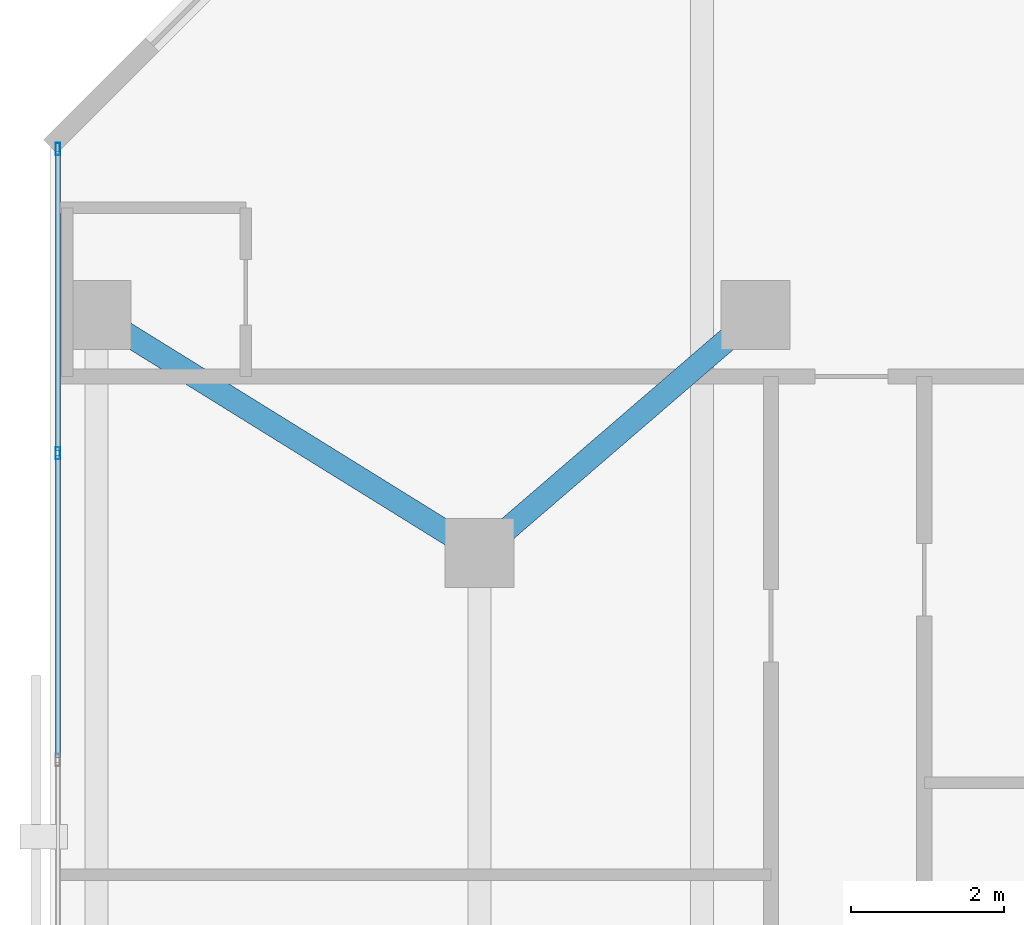
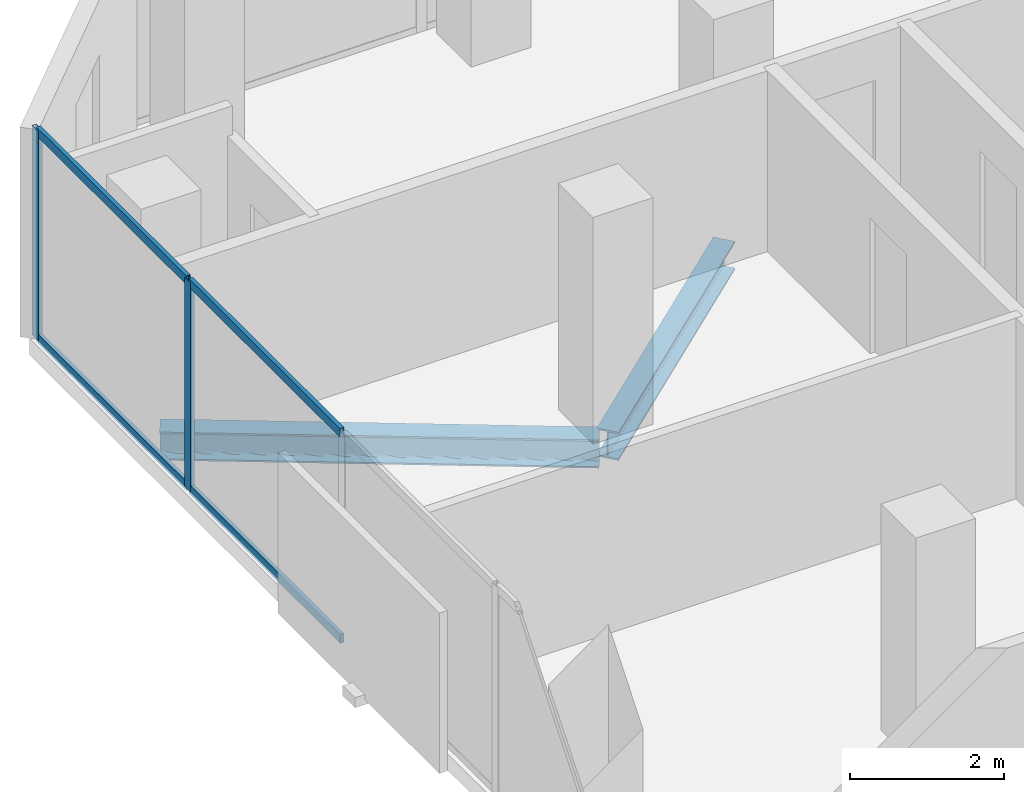
# One storey, part 17 of 33: 6 members, 2 beams, 1 element without a shape of its own.
"""IFC4 building model written with IfcOpenShell, lengths in metres."""

from ifc_helpers import new_model, si_unit, direction, frame, origin, origin_2d, place, context, subcontext, project, spatial, hollow_rectangle, i_section, extrude, material, layer, layer_set, material_profile, profile_set, type_object, element, aggregate, save


model = new_model("IFC4")

# Units and contexts
model_context = context("Model", 3, precision=1e-05, world=origin(), true_north=direction((0.0, 1.0)))
body_context = subcontext(model_context, "Body", "Model", "MODEL_VIEW")
ifc_project = project(units=[si_unit("LENGTHUNIT", "METRE"), si_unit("AREAUNIT", "SQUARE_METRE"), si_unit("VOLUMEUNIT", "CUBIC_METRE"), si_unit("PLANEANGLEUNIT", "RADIAN"), si_unit("MASSUNIT", "GRAM", prefix="KILO")], contexts=[model_context])

# Site, building, storey
site_placement = place(None, origin())
site = spatial("IfcSite", under=ifc_project, at=site_placement, CompositionType="ELEMENT")
building_placement = place(site_placement, origin())
building = spatial("IfcBuilding", under=site, at=building_placement, Name="Catumbela Crestline Tower", CompositionType="ELEMENT")
storey_placement = place(building_placement, frame((0.0, 0.0, 108.0)))
storey = spatial("IfcBuildingStorey", under=building, at=storey_placement, Name="L27", CompositionType="ELEMENT", Elevation=108.0)

# Beams
ifc_material_1 = material(Name="Structural steel S355J2", Category="steel")
ifc_material_profile_1 = material_profile(ifc_material_1, i_section(OverallWidth=0.3, OverallDepth=0.45, WebThickness=0.014, FlangeThickness=0.026, FilletRadius=0.027, at=origin_2d()), Name="HEB 450")
ifc_profile_set_1 = profile_set([ifc_material_profile_1], Name="Structural steel S355J2")
beam_type = type_object("IfcBeamType", Name="BG-HEB450", PredefinedType="BEAM", material=ifc_profile_set_1)
beam_1_placement = place(storey_placement, frame((0.668, 42.2578, -0.485), z_axis=(0.849908952007, -0.526929571479, 0.0), x_axis=(0.526929571479, 0.849908952007, 0.0)))
element("IfcBeam", 1, at=beam_1_placement, inside=storey, type_object=beam_type, Name="L27 Beam BM-L27-N12", PredefinedType="BEAM", context=body_context, shape_type="SweptSolid", body=[
    extrude(i_section(OverallWidth=0.3, OverallDepth=0.45, WebThickness=0.014, FlangeThickness=0.026, FilletRadius=0.027, at=origin_2d()), origin(), (0.0, 0.0, 1.0), 5.723),
])
beam_2_placement = place(storey_placement, frame((5.6606, 39.2522, -0.485), z_axis=(0.757772392559, 0.652518966066, 0.0), x_axis=(-0.652518966066, 0.757772392559, 0.0)))
element("IfcBeam", 2, at=beam_2_placement, inside=storey, type_object=beam_type, Name="L27 Beam BM-L27-N13", PredefinedType="BEAM", context=body_context, shape_type="SweptSolid", body=[
    extrude(i_section(OverallWidth=0.3, OverallDepth=0.45, WebThickness=0.014, FlangeThickness=0.026, FilletRadius=0.027, at=origin_2d()), origin(), (0.0, 0.0, 1.0), 4.5908),
])

# Curtain wall, members
ifc_material_2 = material(Name="Aluminium alloy AW-6060-T66", Category="aluminium")
ifc_layer = layer(ifc_material_2, 0.18, Name="Aluminium alloy AW-6060-T66")
ifc_layer_set = layer_set([ifc_layer], Name="Aluminium alloy AW-6060-T66")
curtain_wall_type = type_object("IfcCurtainWallType", Name="CWU-Z2", PredefinedType="USERDEFINED", material=ifc_layer_set)
curtain_wall_placement = place(storey_placement, origin())
curtain_wall = element("IfcCurtainWall", 3, at=curtain_wall_placement, inside=storey, type_object=curtain_wall_type, Name="L27 Unitised Curtain Wall CW-L27-E9S1", ObjectType="UNITISED", PredefinedType="USERDEFINED")
ifc_material_profile_2 = material_profile(ifc_material_2, hollow_rectangle(XDim=0.06, YDim=0.16, WallThickness=0.004, at=origin_2d()), Name="ALU 160x60x4")
ifc_profile_set_2 = profile_set([ifc_material_profile_2], Name="Aluminium alloy AW-6060-T66")
member_type_1 = type_object("IfcMemberType", Name="MUL-160X60", PredefinedType="MULLION", material=ifc_profile_set_2)
member_1_placement = place(storey_placement, frame((0.1, 44.4675, 0.0), z_axis=(0.0, 0.0, 1.0), x_axis=(1.0, 0.0, 0.0)))
member_1 = element("IfcMember", 4, at=member_1_placement, type_object=member_type_1, Name="CWU-Z2 mullion 1", PredefinedType="MULLION", context=body_context, shape_type="SweptSolid", body=[
    extrude(hollow_rectangle(XDim=0.06, YDim=0.16, WallThickness=0.004, at=origin_2d()), origin(), (0.0, 0.0, 1.0), 3.33),
])
member_2_placement = place(storey_placement, frame((0.1, 40.5, 0.0), z_axis=(0.0, 0.0, 1.0), x_axis=(1.0, 0.0, 0.0)))
member_2 = element("IfcMember", 5, at=member_2_placement, type_object=member_type_1, Name="CWU-Z2 mullion 2", PredefinedType="MULLION", context=body_context, shape_type="SweptSolid", body=[
    extrude(hollow_rectangle(XDim=0.06, YDim=0.16, WallThickness=0.004, at=origin_2d()), origin(), (0.0, 0.0, 1.0), 3.33),
])
ifc_material_profile_3 = material_profile(ifc_material_2, hollow_rectangle(XDim=0.06, YDim=0.14, WallThickness=0.004, at=origin_2d()), Name="ALU 140x60x4")
ifc_profile_set_3 = profile_set([ifc_material_profile_3], Name="Aluminium alloy AW-6060-T66")
member_type_2 = type_object("IfcMemberType", Name="TRN-140X60", PredefinedType="USERDEFINED", material=ifc_profile_set_3)
member_3_placement = place(storey_placement, frame((0.1, 44.435, 0.03), z_axis=(0.0, -1.0, 0.0), x_axis=(1.0, 0.0, 0.0)))
member_3 = element("IfcMember", 6, at=member_3_placement, type_object=member_type_2, Name="CWU-Z2 transom 1.1", ObjectType="TRANSOM", PredefinedType="USERDEFINED", context=body_context, shape_type="SweptSolid", body=[
    extrude(hollow_rectangle(XDim=0.06, YDim=0.14, WallThickness=0.004, at=origin_2d()), origin(), (0.0, 0.0, 1.0), 3.9025),
])
member_4_placement = place(storey_placement, frame((0.1, 44.435, 3.3), z_axis=(0.0, -1.0, 0.0), x_axis=(1.0, 0.0, 0.0)))
member_4 = element("IfcMember", 7, at=member_4_placement, type_object=member_type_2, Name="CWU-Z2 transom 1.2", ObjectType="TRANSOM", PredefinedType="USERDEFINED", context=body_context, shape_type="SweptSolid", body=[
    extrude(hollow_rectangle(XDim=0.06, YDim=0.14, WallThickness=0.004, at=origin_2d()), origin(), (0.0, 0.0, 1.0), 3.9025),
])
member_5_placement = place(storey_placement, frame((0.1, 40.4675, 0.03), z_axis=(0.0, -1.0, 0.0), x_axis=(1.0, 0.0, 0.0)))
member_5 = element("IfcMember", 8, at=member_5_placement, type_object=member_type_2, Name="CWU-Z2 transom 2.1", ObjectType="TRANSOM", PredefinedType="USERDEFINED", context=body_context, shape_type="SweptSolid", body=[
    extrude(hollow_rectangle(XDim=0.06, YDim=0.14, WallThickness=0.004, at=origin_2d()), origin(), (0.0, 0.0, 1.0), 3.935),
])
member_6_placement = place(storey_placement, frame((0.1, 40.4675, 3.3), z_axis=(0.0, -1.0, 0.0), x_axis=(1.0, 0.0, 0.0)))
member_6 = element("IfcMember", 9, at=member_6_placement, type_object=member_type_2, Name="CWU-Z2 transom 2.2", ObjectType="TRANSOM", PredefinedType="USERDEFINED", context=body_context, shape_type="SweptSolid", body=[
    extrude(hollow_rectangle(XDim=0.06, YDim=0.14, WallThickness=0.004, at=origin_2d()), origin(), (0.0, 0.0, 1.0), 3.935),
])
aggregate(curtain_wall, [member_1, member_2, member_3, member_4, member_5, member_6])

save(model, "model.ifc")
